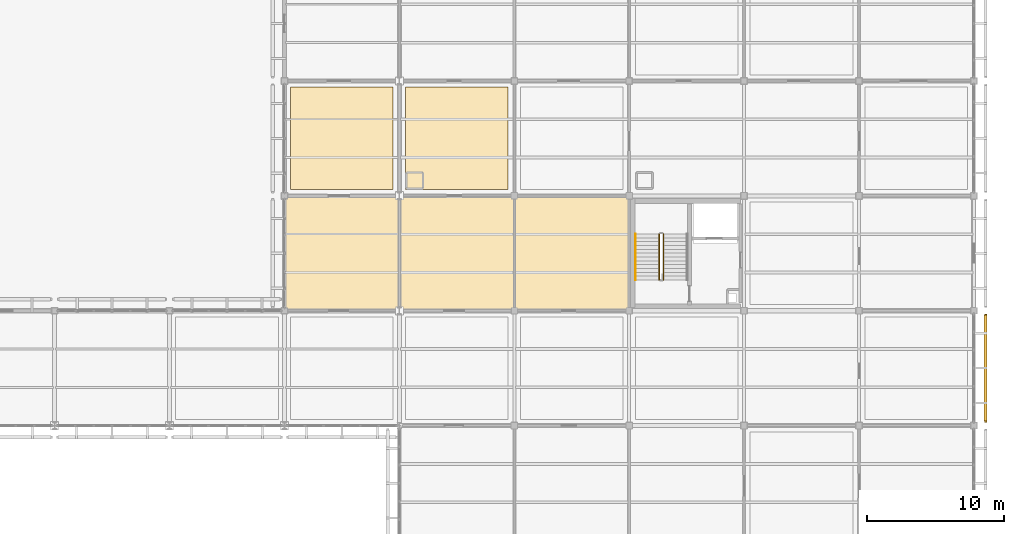
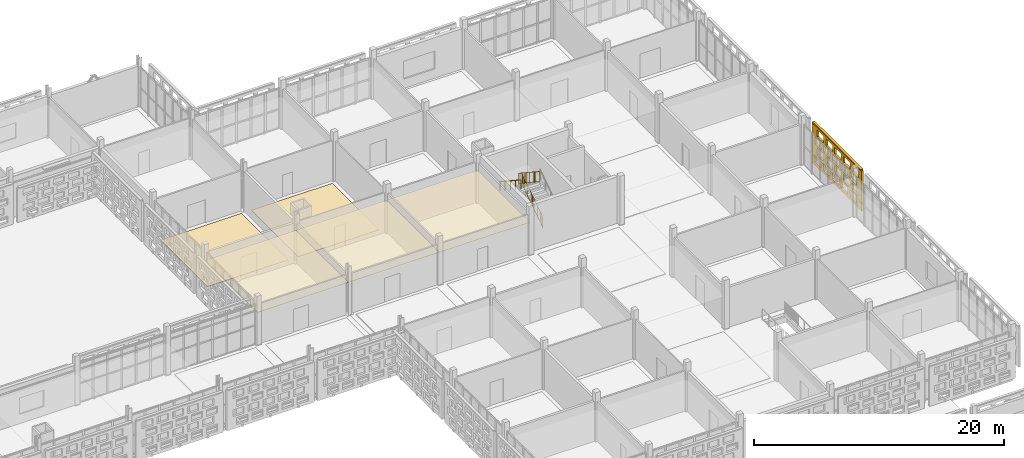
# One storey, part 199 of 203: 6 coverings, 3 railings, 1 shading device, 20 openings.
"""IFC4 building model written with IfcOpenShell, lengths in metres."""

from ifc_helpers import new_model, si_unit, direction, frame, frame_2d, origin, origin_2d, place, context, subcontext, project, spatial, rectangle, circle, extrude, material, layer, layer_set, type_object, element, save


model = new_model("IFC4")

# Units and contexts
model_context = context("Model", 3, precision=1e-05, world=origin(), true_north=direction((0.0, 1.0)))
body_context = subcontext(model_context, "Body", "Model", "MODEL_VIEW")
ifc_project = project(units=[si_unit("LENGTHUNIT", "METRE"), si_unit("AREAUNIT", "SQUARE_METRE"), si_unit("VOLUMEUNIT", "CUBIC_METRE"), si_unit("PLANEANGLEUNIT", "RADIAN"), si_unit("MASSUNIT", "GRAM", prefix="KILO")], contexts=[model_context])

# Site, building, storey
site_placement = place(None, origin())
site = spatial("IfcSite", under=ifc_project, at=site_placement, CompositionType="ELEMENT")
building_placement = place(site_placement, origin())
building = spatial("IfcBuilding", under=site, at=building_placement, Name="Varnapada Polytechnic", CompositionType="ELEMENT")
storey_placement = place(building_placement, frame((0.0, 0.0, 4.800048828125)))
storey = spatial("IfcBuildingStorey", under=building, at=storey_placement, Name="L01", CompositionType="ELEMENT", Elevation=4.800048828125)

# Coverings
ifc_material_1 = material(Name="Anti-Static Raised Laboratory Flooring")
ifc_layer_1 = layer(ifc_material_1, 0.06005859375)
ifc_layer_set_1 = layer_set([ifc_layer_1], Name="Anti-Static Raised Laboratory Flooring")
covering_type_1 = type_object("IfcCoveringType", Name="Floor Finish FLR-02", PredefinedType="FLOORING", material=ifc_layer_set_1)
covering_1_placement = place(storey_placement, frame((130.199951171875, 105.0, 0.0), z_axis=(0.0, 0.0, 1.0), x_axis=(1.0, 0.0, 0.0)))
element("IfcCovering", 1, at=covering_1_placement, inside=storey, type_object=covering_type_1, Name="L01 floor finish panel (16,13)", PredefinedType="FLOORING", context=body_context, shape_type="SweptSolid", body=[
    extrude(rectangle(XDim=7.5, YDim=7.5, at=origin_2d()), origin(), (0.0, 0.0, 1.0), 0.06005859375),
])
ifc_material_2 = material(Name="End-Grain Timber Studio Block Flooring", Category="wood")
ifc_layer_2 = layer(ifc_material_2, 0.054931640625)
ifc_layer_set_2 = layer_set([ifc_layer_2], Name="End-Grain Timber Studio Block Flooring")
covering_type_2 = type_object("IfcCoveringType", Name="Floor Finish FLR-04", PredefinedType="FLOORING", material=ifc_layer_set_2)
covering_2_placement = place(storey_placement, frame((138.60009765625, 105.0, 0.0), z_axis=(0.0, 0.0, 1.0), x_axis=(1.0, 0.0, 0.0)))
element("IfcCovering", 2, at=covering_2_placement, inside=storey, type_object=covering_type_2, Name="L01 floor finish panel (17,13)", PredefinedType="FLOORING", context=body_context, shape_type="SweptSolid", body=[
    extrude(rectangle(XDim=7.5, YDim=7.5, at=origin_2d()), origin(), (0.0, 0.0, 1.0), 0.054931640625),
])

# Railings
ifc_material_3 = material(Name="Brushed Stainless Steel 316", Category="steel")
railing_type_1 = type_object("IfcRailingType", Name="Stair Wall Handrail SHR-01", PredefinedType="HANDRAIL", material=ifc_material_3)
railing_1_placement = place(storey_placement, frame((151.64990234375, 98.010009765625, 2.58447265625)))
element("IfcRailing", 3, at=railing_1_placement, inside=storey, type_object=railing_type_1, Name="L01 ST-5 stair handrail 2", PredefinedType="HANDRAIL", context=body_context, shape_type="SweptSolid", body=[
    extrude(circle(Radius=0.02392578125, at=origin_2d()), frame((0.0, 0.0, 0.8759765625), z_axis=(0.0, -0.834848600103, 0.550479622607), x_axis=(1.0, 0.0, 0.0)), (0.0, 0.0, 1.0), 4.02490234375),
    extrude(circle(Radius=0.02099609375, at=origin_2d()), origin(), (0.0, 0.0, 1.0), 0.851806640625),
    extrude(circle(Radius=0.02099609375, at=origin_2d()), frame((0.0, -0.840087890625, 0.553955078125)), (0.0, 0.0, 1.0), 0.851806640625),
    extrude(circle(Radius=0.02099609375, at=origin_2d()), frame((0.0, -1.68017578125, 1.10791015625)), (0.0, 0.0, 1.0), 0.851806640625),
    extrude(circle(Radius=0.02099609375, at=origin_2d()), frame((0.0, -2.52001953125, 1.66162109375)), (0.0, 0.0, 1.0), 0.851806640625),
    extrude(circle(Radius=0.02099609375, at=origin_2d()), frame((0.0, -3.360107421875, 2.215576171875)), (0.0, 0.0, 1.0), 0.851806640625),
])
railing_type_2 = type_object("IfcRailingType", Name="Stair Well Guard Rail SGR-01", PredefinedType="BALUSTRADE", material=ifc_material_3)
railing_2_placement = place(storey_placement, frame((153.699951171875, 94.64990234375, 0.1845703125)))
element("IfcRailing", 4, at=railing_2_placement, inside=storey, type_object=railing_type_2, Name="L01 ST-5 stair guard 1", PredefinedType="BALUSTRADE", context=body_context, shape_type="SweptSolid", body=[
    extrude(circle(Radius=0.02392578125, at=origin_2d()), frame((0.0, 0.0, 1.09619140625), z_axis=(0.0, 0.834876476806, 0.550437342915), x_axis=(-1.0, 0.0, 0.0)), (0.0, 0.0, 1.0), 4.024658203125),
    extrude(circle(Radius=0.02392578125, at=origin_2d()), frame((0.0, 0.0, 0.10009765625), z_axis=(0.0, 0.834876476806, 0.550437342915), x_axis=(-1.0, 0.0, 0.0)), (0.0, 0.0, 1.0), 4.024658203125),
    extrude(circle(Radius=0.02099609375, at=origin_2d()), origin(), (0.0, 0.0, 1.0), 1.072021484375),
    extrude(circle(Radius=0.02099609375, at=origin_2d()), frame((0.0, 0.840087890625, 0.5537109375)), (0.0, 0.0, 1.0), 1.072021484375),
    extrude(circle(Radius=0.02099609375, at=origin_2d()), frame((0.0, 1.68017578125, 1.107666015625)), (0.0, 0.0, 1.0), 1.072021484375),
    extrude(circle(Radius=0.02099609375, at=origin_2d()), frame((0.0, 2.52001953125, 1.66162109375)), (0.0, 0.0, 1.0), 1.072021484375),
    extrude(circle(Radius=0.02099609375, at=origin_2d()), frame((0.0, 3.360107421875, 2.21533203125)), (0.0, 0.0, 1.0), 1.072021484375),
    extrude(circle(Radius=0.010009765625, at=origin_2d()), frame((0.0, 0.2099609375, 0.238525390625)), (0.0, 0.0, 1.0), 0.971923828125),
    extrude(circle(Radius=0.010009765625, at=origin_2d()), frame((0.0, 0.419921875, 0.376953125)), (0.0, 0.0, 1.0), 0.971923828125),
    extrude(circle(Radius=0.010009765625, at=origin_2d()), frame((0.0, 0.630126953125, 0.515380859375)), (0.0, 0.0, 1.0), 0.971923828125),
    extrude(circle(Radius=0.010009765625, at=origin_2d()), frame((0.0, 0.840087890625, 0.65380859375)), (0.0, 0.0, 1.0), 0.971923828125),
    extrude(circle(Radius=0.010009765625, at=origin_2d()), frame((0.0, 1.050048828125, 0.79248046875)), (0.0, 0.0, 1.0), 0.971923828125),
    extrude(circle(Radius=0.010009765625, at=origin_2d()), frame((0.0, 1.260009765625, 0.930908203125)), (0.0, 0.0, 1.0), 0.971923828125),
    extrude(circle(Radius=0.010009765625, at=origin_2d()), frame((0.0, 1.469970703125, 1.0693359375)), (0.0, 0.0, 1.0), 0.971923828125),
    extrude(circle(Radius=0.010009765625, at=origin_2d()), frame((0.0, 1.68017578125, 1.207763671875)), (0.0, 0.0, 1.0), 0.971923828125),
    extrude(circle(Radius=0.010009765625, at=origin_2d()), frame((0.0, 1.89013671875, 1.34619140625)), (0.0, 0.0, 1.0), 0.971923828125),
    extrude(circle(Radius=0.010009765625, at=origin_2d()), frame((0.0, 2.10009765625, 1.484619140625)), (0.0, 0.0, 1.0), 0.971923828125),
    extrude(circle(Radius=0.010009765625, at=origin_2d()), frame((0.0, 2.31005859375, 1.623046875)), (0.0, 0.0, 1.0), 0.971923828125),
    extrude(circle(Radius=0.010009765625, at=origin_2d()), frame((0.0, 2.52001953125, 1.76171875)), (0.0, 0.0, 1.0), 0.971923828125),
    extrude(circle(Radius=0.010009765625, at=origin_2d()), frame((0.0, 2.72998046875, 1.900146484375)), (0.0, 0.0, 1.0), 0.971923828125),
    extrude(circle(Radius=0.010009765625, at=origin_2d()), frame((0.0, 2.940185546875, 2.03857421875)), (0.0, 0.0, 1.0), 0.971923828125),
    extrude(circle(Radius=0.010009765625, at=origin_2d()), frame((0.0, 3.150146484375, 2.177001953125)), (0.0, 0.0, 1.0), 0.971923828125),
])
railing_3_placement = place(storey_placement, frame((153.39990234375, 98.010009765625, 2.58447265625)))
element("IfcRailing", 5, at=railing_3_placement, inside=storey, type_object=railing_type_2, Name="L01 ST-5 stair guard 3", PredefinedType="BALUSTRADE", context=body_context, shape_type="SweptSolid", body=[
    extrude(circle(Radius=0.02392578125, at=origin_2d()), frame((0.0, 0.0, 1.09619140625), z_axis=(0.0, -0.834848600103, 0.550479622607), x_axis=(1.0, 0.0, 0.0)), (0.0, 0.0, 1.0), 4.02490234375),
    extrude(circle(Radius=0.02392578125, at=origin_2d()), frame((0.0, 0.0, 0.10009765625), z_axis=(0.0, -0.834848600103, 0.550479622607), x_axis=(1.0, 0.0, 0.0)), (0.0, 0.0, 1.0), 4.02490234375),
    extrude(circle(Radius=0.02099609375, at=origin_2d()), origin(), (0.0, 0.0, 1.0), 1.072021484375),
    extrude(circle(Radius=0.02099609375, at=origin_2d()), frame((0.0, -0.840087890625, 0.553955078125)), (0.0, 0.0, 1.0), 1.072021484375),
    extrude(circle(Radius=0.02099609375, at=origin_2d()), frame((0.0, -1.68017578125, 1.10791015625)), (0.0, 0.0, 1.0), 1.072021484375),
    extrude(circle(Radius=0.02099609375, at=origin_2d()), frame((0.0, -2.52001953125, 1.66162109375)), (0.0, 0.0, 1.0), 1.072021484375),
    extrude(circle(Radius=0.02099609375, at=origin_2d()), frame((0.0, -3.360107421875, 2.215576171875)), (0.0, 0.0, 1.0), 1.072021484375),
    extrude(circle(Radius=0.010009765625, at=origin_2d()), frame((0.0, -0.2099609375, 0.238525390625)), (0.0, 0.0, 1.0), 0.971923828125),
    extrude(circle(Radius=0.010009765625, at=origin_2d()), frame((0.0, -0.419921875, 0.376953125)), (0.0, 0.0, 1.0), 0.971923828125),
    extrude(circle(Radius=0.010009765625, at=origin_2d()), frame((0.0, -0.630126953125, 0.515625)), (0.0, 0.0, 1.0), 0.971923828125),
    extrude(circle(Radius=0.010009765625, at=origin_2d()), frame((0.0, -0.840087890625, 0.654052734375)), (0.0, 0.0, 1.0), 0.971923828125),
    extrude(circle(Radius=0.010009765625, at=origin_2d()), frame((0.0, -1.050048828125, 0.79248046875)), (0.0, 0.0, 1.0), 0.971923828125),
    extrude(circle(Radius=0.010009765625, at=origin_2d()), frame((0.0, -1.260009765625, 0.930908203125)), (0.0, 0.0, 1.0), 0.971923828125),
    extrude(circle(Radius=0.010009765625, at=origin_2d()), frame((0.0, -1.469970703125, 1.0693359375)), (0.0, 0.0, 1.0), 0.971923828125),
    extrude(circle(Radius=0.010009765625, at=origin_2d()), frame((0.0, -1.68017578125, 1.2080078125)), (0.0, 0.0, 1.0), 0.971923828125),
    extrude(circle(Radius=0.010009765625, at=origin_2d()), frame((0.0, -1.89013671875, 1.346435546875)), (0.0, 0.0, 1.0), 0.971923828125),
    extrude(circle(Radius=0.010009765625, at=origin_2d()), frame((0.0, -2.10009765625, 1.48486328125)), (0.0, 0.0, 1.0), 0.971923828125),
    extrude(circle(Radius=0.010009765625, at=origin_2d()), frame((0.0, -2.31005859375, 1.623291015625)), (0.0, 0.0, 1.0), 0.971923828125),
    extrude(circle(Radius=0.010009765625, at=origin_2d()), frame((0.0, -2.52001953125, 1.76171875)), (0.0, 0.0, 1.0), 0.971923828125),
    extrude(circle(Radius=0.010009765625, at=origin_2d()), frame((0.0, -2.72998046875, 1.900146484375)), (0.0, 0.0, 1.0), 0.971923828125),
    extrude(circle(Radius=0.010009765625, at=origin_2d()), frame((0.0, -2.940185546875, 2.038818359375)), (0.0, 0.0, 1.0), 0.971923828125),
    extrude(circle(Radius=0.010009765625, at=origin_2d()), frame((0.0, -3.150146484375, 2.17724609375)), (0.0, 0.0, 1.0), 0.971923828125),
])

# Coverings
ifc_material_4 = material(Name="Mineral Fibre Acoustic Ceiling Tile")
ifc_layer_3 = layer(ifc_material_4, 0.0400390625)
ifc_layer_set_3 = layer_set([ifc_layer_3], Name="Mineral Fibre Acoustic Ceiling Tile")
covering_type_3 = type_object("IfcCoveringType", Name="Suspended Ceiling CLG-01", PredefinedType="CEILING", material=ifc_layer_set_3)
for number, where, z_axis, x_axis, name in (
    (6, (130.199951171875, 96.60009765625, 3.030029296875), (0.0, 0.0, 1.0), (1.0, 0.0, 0.0), "L01 suspended acoustic ceiling (16,12)"),
    (7, (138.60009765625, 96.60009765625, 3.030029296875), (0.0, 0.0, 1.0), (1.0, 0.0, 0.0), "L01 suspended acoustic ceiling (17,12)"),
):
    element("IfcCovering", number, at=place(storey_placement, frame(where, z_axis=z_axis, x_axis=x_axis)), inside=storey, type_object=covering_type_3, Name=name, PredefinedType="CEILING", context=body_context, shape_type="SweptSolid", body=[
        extrude(rectangle(XDim=8.419921875, YDim=8.419921875, at=origin_2d()), origin(), (0.0, 0.0, 1.0), 0.0400390625),
    ])
ifc_material_5 = material(Name="Cleanroom Laboratory Metal Pan Ceiling")
ifc_layer_4 = layer(ifc_material_5, 0.034912109375)
ifc_layer_set_4 = layer_set([ifc_layer_4], Name="Cleanroom Laboratory Metal Pan Ceiling")
covering_type_4 = type_object("IfcCoveringType", Name="Suspended Ceiling CLG-06", PredefinedType="CEILING", material=ifc_layer_set_4)
covering_3_placement = place(storey_placement, frame((147.0, 96.60009765625, 3.03271484375), z_axis=(0.0, 0.0, 1.0), x_axis=(1.0, 0.0, 0.0)))
element("IfcCovering", 8, at=covering_3_placement, inside=storey, type_object=covering_type_4, Name="L01 suspended acoustic ceiling (18,12)", PredefinedType="CEILING", context=body_context, shape_type="SweptSolid", body=[
    extrude(rectangle(XDim=8.419921875, YDim=8.419921875, at=origin_2d()), origin(), (0.0, 0.0, 1.0), 0.034912109375),
])

# Covering, openings
ifc_material_6 = material(Name="Earth-toned architectural terracotta screen block", Category="masonry")
ifc_layer_5 = layer(ifc_material_6, 0.1201171875)
ifc_layer_set_5 = layer_set([ifc_layer_5], Name="Earth-toned architectural terracotta screen block")
covering_type_5 = type_object("IfcCoveringType", Name="Terracotta Screen Cladding CLD-01", PredefinedType="CLADDING", material=ifc_layer_set_5)
covering_4_placement = place(storey_placement, frame((177.25, 92.179931640625, 0.0), z_axis=(0.0, 0.0, 1.0), x_axis=(0.0, -1.0, 0.0)))
covering_4 = element("IfcCovering", 9, at=covering_4_placement, inside=storey, type_object=covering_type_5, Name="L01 perforated terracotta block screen (148)", PredefinedType="CLADDING", context=body_context, shape_type="SweptSolid", body=[
    extrude(rectangle(XDim=7.949951171875, YDim=0.179931640625, at=frame_2d((3.97509765625, 0.0))), origin(), (0.0, 0.0, 1.0), 3.919921875),
])
opening_1_placement = place(covering_4_placement, frame((0.47509765625, 0.0, 0.313720703125)))
element("IfcOpeningElement", 10, at=opening_1_placement, cuts=covering_4, Name="Screen perforation TBS-L01-147.1", PredefinedType="OPENING", context=body_context, shape_type="SweptSolid", body=[
    extrude(rectangle(XDim=1.0400390625, YDim=0.679931640625, at=frame_2d((0.52001953125, 0.33984375))), frame((0.0, 0.099853515625, 0.0), z_axis=(0.0, -1.0, 0.0), x_axis=(1.0, 0.0, 0.0)), (0.0, 0.0, 1.0), 0.199951171875),
])
opening_2_placement = place(covering_4_placement, frame((1.875, 0.0, 0.313720703125)))
element("IfcOpeningElement", 11, at=opening_2_placement, cuts=covering_4, Name="Screen perforation TBS-L01-147.2", PredefinedType="OPENING", context=body_context, shape_type="SweptSolid", body=[
    extrude(rectangle(XDim=1.0400390625, YDim=0.679931640625, at=frame_2d((0.52001953125, 0.33984375))), frame((0.0, 0.099853515625, 0.0), z_axis=(0.0, -1.0, 0.0), x_axis=(1.0, 0.0, 0.0)), (0.0, 0.0, 1.0), 0.199951171875),
])
opening_3_placement = place(covering_4_placement, frame((3.27490234375, 0.0, 0.313720703125)))
element("IfcOpeningElement", 12, at=opening_3_placement, cuts=covering_4, Name="Screen perforation TBS-L01-147.3", PredefinedType="OPENING", context=body_context, shape_type="SweptSolid", body=[
    extrude(rectangle(XDim=1.0400390625, YDim=0.679931640625, at=frame_2d((0.52001953125, 0.33984375))), frame((0.0, 0.099853515625, 0.0), z_axis=(0.0, -1.0, 0.0), x_axis=(1.0, 0.0, 0.0)), (0.0, 0.0, 1.0), 0.199951171875),
])
opening_4_placement = place(covering_4_placement, frame((4.675048828125, 0.0, 0.313720703125)))
element("IfcOpeningElement", 13, at=opening_4_placement, cuts=covering_4, Name="Screen perforation TBS-L01-147.4", PredefinedType="OPENING", context=body_context, shape_type="SweptSolid", body=[
    extrude(rectangle(XDim=1.0400390625, YDim=0.679931640625, at=frame_2d((0.52001953125, 0.33984375))), frame((0.0, 0.099853515625, 0.0), z_axis=(0.0, -1.0, 0.0), x_axis=(1.0, 0.0, 0.0)), (0.0, 0.0, 1.0), 0.199951171875),
])
opening_5_placement = place(covering_4_placement, frame((6.074951171875, 0.0, 0.313720703125)))
element("IfcOpeningElement", 14, at=opening_5_placement, cuts=covering_4, Name="Screen perforation TBS-L01-147.5", PredefinedType="OPENING", context=body_context, shape_type="SweptSolid", body=[
    extrude(rectangle(XDim=1.0400390625, YDim=0.679931640625, at=frame_2d((0.52001953125, 0.33984375))), frame((0.0, 0.099853515625, 0.0), z_axis=(0.0, -1.0, 0.0), x_axis=(1.0, 0.0, 0.0)), (0.0, 0.0, 1.0), 0.199951171875),
])
opening_6_placement = place(covering_4_placement, frame((0.8349609375, 0.0, 1.195556640625)))
element("IfcOpeningElement", 15, at=opening_6_placement, cuts=covering_4, Name="Screen perforation TBS-L01-147.6", PredefinedType="OPENING", context=body_context, shape_type="SweptSolid", body=[
    extrude(rectangle(XDim=1.0400390625, YDim=0.679931640625, at=frame_2d((0.52001953125, 0.33984375))), frame((0.0, 0.099853515625, 0.0), z_axis=(0.0, -1.0, 0.0), x_axis=(1.0, 0.0, 0.0)), (0.0, 0.0, 1.0), 0.199951171875),
])
opening_7_placement = place(covering_4_placement, frame((2.235107421875, 0.0, 1.195556640625)))
element("IfcOpeningElement", 16, at=opening_7_placement, cuts=covering_4, Name="Screen perforation TBS-L01-147.7", PredefinedType="OPENING", context=body_context, shape_type="SweptSolid", body=[
    extrude(rectangle(XDim=1.0400390625, YDim=0.679931640625, at=frame_2d((0.52001953125, 0.33984375))), frame((0.0, 0.099853515625, 0.0), z_axis=(0.0, -1.0, 0.0), x_axis=(1.0, 0.0, 0.0)), (0.0, 0.0, 1.0), 0.199951171875),
])
opening_8_placement = place(covering_4_placement, frame((3.635009765625, 0.0, 1.195556640625)))
element("IfcOpeningElement", 17, at=opening_8_placement, cuts=covering_4, Name="Screen perforation TBS-L01-147.8", PredefinedType="OPENING", context=body_context, shape_type="SweptSolid", body=[
    extrude(rectangle(XDim=1.0400390625, YDim=0.679931640625, at=frame_2d((0.52001953125, 0.33984375))), frame((0.0, 0.099853515625, 0.0), z_axis=(0.0, -1.0, 0.0), x_axis=(1.0, 0.0, 0.0)), (0.0, 0.0, 1.0), 0.199951171875),
])
opening_9_placement = place(covering_4_placement, frame((5.034912109375, 0.0, 1.195556640625)))
element("IfcOpeningElement", 18, at=opening_9_placement, cuts=covering_4, Name="Screen perforation TBS-L01-147.9", PredefinedType="OPENING", context=body_context, shape_type="SweptSolid", body=[
    extrude(rectangle(XDim=1.0400390625, YDim=0.679931640625, at=frame_2d((0.52001953125, 0.33984375))), frame((0.0, 0.099853515625, 0.0), z_axis=(0.0, -1.0, 0.0), x_axis=(1.0, 0.0, 0.0)), (0.0, 0.0, 1.0), 0.199951171875),
])
opening_10_placement = place(covering_4_placement, frame((6.43505859375, 0.0, 1.195556640625)))
element("IfcOpeningElement", 19, at=opening_10_placement, cuts=covering_4, Name="Screen perforation TBS-L01-147.10", PredefinedType="OPENING", context=body_context, shape_type="SweptSolid", body=[
    extrude(rectangle(XDim=1.0400390625, YDim=0.679931640625, at=frame_2d((0.52001953125, 0.33984375))), frame((0.0, 0.099853515625, 0.0), z_axis=(0.0, -1.0, 0.0), x_axis=(1.0, 0.0, 0.0)), (0.0, 0.0, 1.0), 0.199951171875),
])
opening_11_placement = place(covering_4_placement, frame((0.47509765625, 0.0, 2.07763671875)))
element("IfcOpeningElement", 20, at=opening_11_placement, cuts=covering_4, Name="Screen perforation TBS-L01-147.11", PredefinedType="OPENING", context=body_context, shape_type="SweptSolid", body=[
    extrude(rectangle(XDim=1.0400390625, YDim=0.679931640625, at=frame_2d((0.52001953125, 0.33984375))), frame((0.0, 0.099853515625, 0.0), z_axis=(0.0, -1.0, 0.0), x_axis=(1.0, 0.0, 0.0)), (0.0, 0.0, 1.0), 0.199951171875),
])
opening_12_placement = place(covering_4_placement, frame((1.875, 0.0, 2.07763671875)))
element("IfcOpeningElement", 21, at=opening_12_placement, cuts=covering_4, Name="Screen perforation TBS-L01-147.12", PredefinedType="OPENING", context=body_context, shape_type="SweptSolid", body=[
    extrude(rectangle(XDim=1.0400390625, YDim=0.679931640625, at=frame_2d((0.52001953125, 0.33984375))), frame((0.0, 0.099853515625, 0.0), z_axis=(0.0, -1.0, 0.0), x_axis=(1.0, 0.0, 0.0)), (0.0, 0.0, 1.0), 0.199951171875),
])
opening_13_placement = place(covering_4_placement, frame((3.27490234375, 0.0, 2.07763671875)))
element("IfcOpeningElement", 22, at=opening_13_placement, cuts=covering_4, Name="Screen perforation TBS-L01-147.13", PredefinedType="OPENING", context=body_context, shape_type="SweptSolid", body=[
    extrude(rectangle(XDim=1.0400390625, YDim=0.679931640625, at=frame_2d((0.52001953125, 0.33984375))), frame((0.0, 0.099853515625, 0.0), z_axis=(0.0, -1.0, 0.0), x_axis=(1.0, 0.0, 0.0)), (0.0, 0.0, 1.0), 0.199951171875),
])
opening_14_placement = place(covering_4_placement, frame((4.675048828125, 0.0, 2.07763671875)))
element("IfcOpeningElement", 23, at=opening_14_placement, cuts=covering_4, Name="Screen perforation TBS-L01-147.14", PredefinedType="OPENING", context=body_context, shape_type="SweptSolid", body=[
    extrude(rectangle(XDim=1.0400390625, YDim=0.679931640625, at=frame_2d((0.52001953125, 0.33984375))), frame((0.0, 0.099853515625, 0.0), z_axis=(0.0, -1.0, 0.0), x_axis=(1.0, 0.0, 0.0)), (0.0, 0.0, 1.0), 0.199951171875),
])
opening_15_placement = place(covering_4_placement, frame((6.074951171875, 0.0, 2.07763671875)))
element("IfcOpeningElement", 24, at=opening_15_placement, cuts=covering_4, Name="Screen perforation TBS-L01-147.15", PredefinedType="OPENING", context=body_context, shape_type="SweptSolid", body=[
    extrude(rectangle(XDim=1.0400390625, YDim=0.679931640625, at=frame_2d((0.52001953125, 0.33984375))), frame((0.0, 0.099853515625, 0.0), z_axis=(0.0, -1.0, 0.0), x_axis=(1.0, 0.0, 0.0)), (0.0, 0.0, 1.0), 0.199951171875),
])
opening_16_placement = place(covering_4_placement, frame((0.8349609375, 0.0, 2.959716796875)))
element("IfcOpeningElement", 25, at=opening_16_placement, cuts=covering_4, Name="Screen perforation TBS-L01-147.16", PredefinedType="OPENING", context=body_context, shape_type="SweptSolid", body=[
    extrude(rectangle(XDim=1.0400390625, YDim=0.679931640625, at=frame_2d((0.52001953125, 0.33984375))), frame((0.0, 0.099853515625, 0.0), z_axis=(0.0, -1.0, 0.0), x_axis=(1.0, 0.0, 0.0)), (0.0, 0.0, 1.0), 0.199951171875),
])
opening_17_placement = place(covering_4_placement, frame((2.235107421875, 0.0, 2.959716796875)))
element("IfcOpeningElement", 26, at=opening_17_placement, cuts=covering_4, Name="Screen perforation TBS-L01-147.17", PredefinedType="OPENING", context=body_context, shape_type="SweptSolid", body=[
    extrude(rectangle(XDim=1.0400390625, YDim=0.679931640625, at=frame_2d((0.52001953125, 0.33984375))), frame((0.0, 0.099853515625, 0.0), z_axis=(0.0, -1.0, 0.0), x_axis=(1.0, 0.0, 0.0)), (0.0, 0.0, 1.0), 0.199951171875),
])
opening_18_placement = place(covering_4_placement, frame((3.635009765625, 0.0, 2.959716796875)))
element("IfcOpeningElement", 27, at=opening_18_placement, cuts=covering_4, Name="Screen perforation TBS-L01-147.18", PredefinedType="OPENING", context=body_context, shape_type="SweptSolid", body=[
    extrude(rectangle(XDim=1.0400390625, YDim=0.679931640625, at=frame_2d((0.52001953125, 0.33984375))), frame((0.0, 0.099853515625, 0.0), z_axis=(0.0, -1.0, 0.0), x_axis=(1.0, 0.0, 0.0)), (0.0, 0.0, 1.0), 0.199951171875),
])
opening_19_placement = place(covering_4_placement, frame((5.034912109375, 0.0, 2.959716796875)))
element("IfcOpeningElement", 28, at=opening_19_placement, cuts=covering_4, Name="Screen perforation TBS-L01-147.19", PredefinedType="OPENING", context=body_context, shape_type="SweptSolid", body=[
    extrude(rectangle(XDim=1.0400390625, YDim=0.679931640625, at=frame_2d((0.52001953125, 0.33984375))), frame((0.0, 0.099853515625, 0.0), z_axis=(0.0, -1.0, 0.0), x_axis=(1.0, 0.0, 0.0)), (0.0, 0.0, 1.0), 0.199951171875),
])
opening_20_placement = place(covering_4_placement, frame((6.43505859375, 0.0, 2.959716796875)))
element("IfcOpeningElement", 29, at=opening_20_placement, cuts=covering_4, Name="Screen perforation TBS-L01-147.20", PredefinedType="OPENING", context=body_context, shape_type="SweptSolid", body=[
    extrude(rectangle(XDim=1.0400390625, YDim=0.679931640625, at=frame_2d((0.52001953125, 0.33984375))), frame((0.0, 0.099853515625, 0.0), z_axis=(0.0, -1.0, 0.0), x_axis=(1.0, 0.0, 0.0)), (0.0, 0.0, 1.0), 0.199951171875),
])

# Shading device
ifc_layer_6 = layer(ifc_material_6, 0.179931640625)
ifc_layer_set_6 = layer_set([ifc_layer_6], Name="Earth-toned architectural terracotta screen block")
shading_device_type = type_object("IfcShadingDeviceType", Name="Terracotta Screen SCR-02", PredefinedType="USERDEFINED", material=ifc_layer_set_6)
shading_device_placement = place(storey_placement, frame((177.25, 88.205078125, 3.909912109375), z_axis=(0.0, 0.0, 1.0), x_axis=(0.0, -1.0, 0.0)))
element("IfcShadingDevice", 30, at=shading_device_placement, inside=storey, type_object=shading_device_type, Name="L01 perforated terracotta screen hood 226", ObjectType="SCREEN", PredefinedType="USERDEFINED", context=body_context, shape_type="SweptSolid", body=[
    extrude(rectangle(XDim=7.75, YDim=0.239990234375, at=origin_2d()), origin(), (0.0, 0.0, 1.0), 0.10009765625),
])

save(model, "model.ifc")
